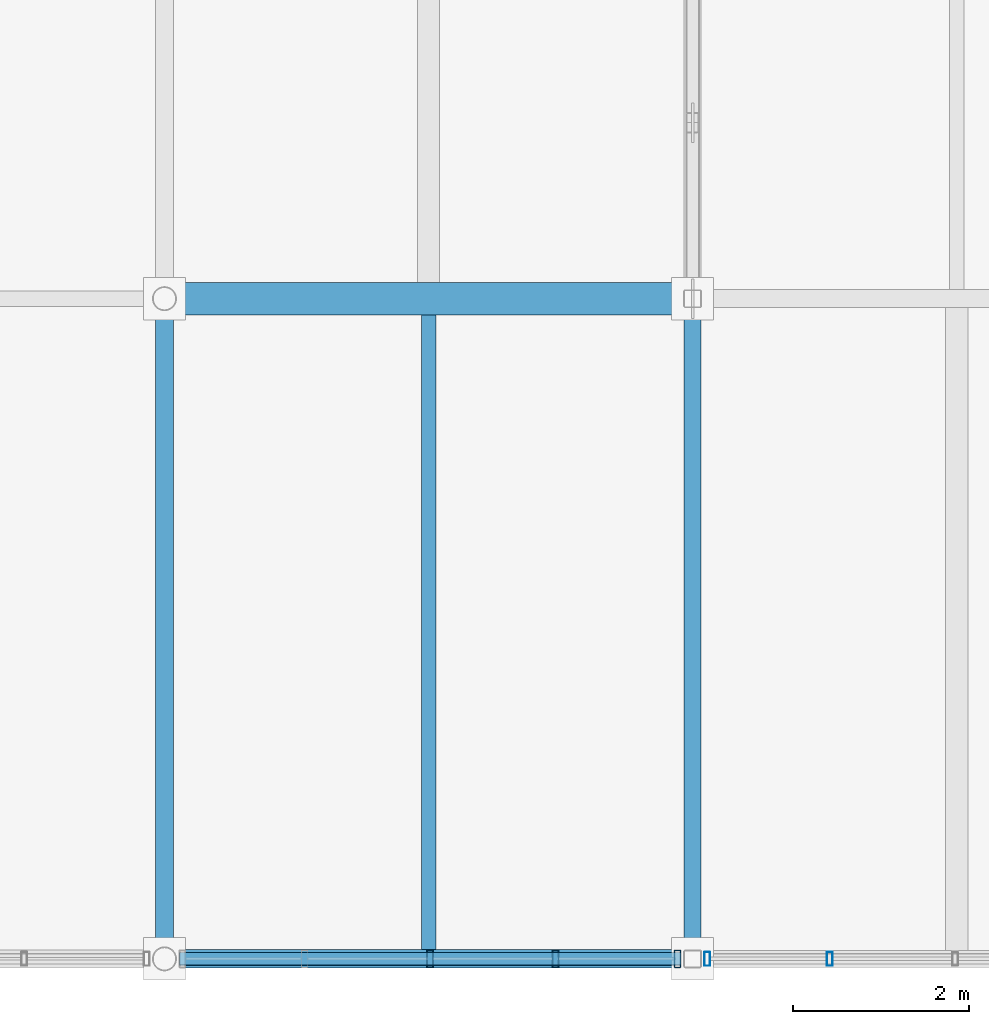
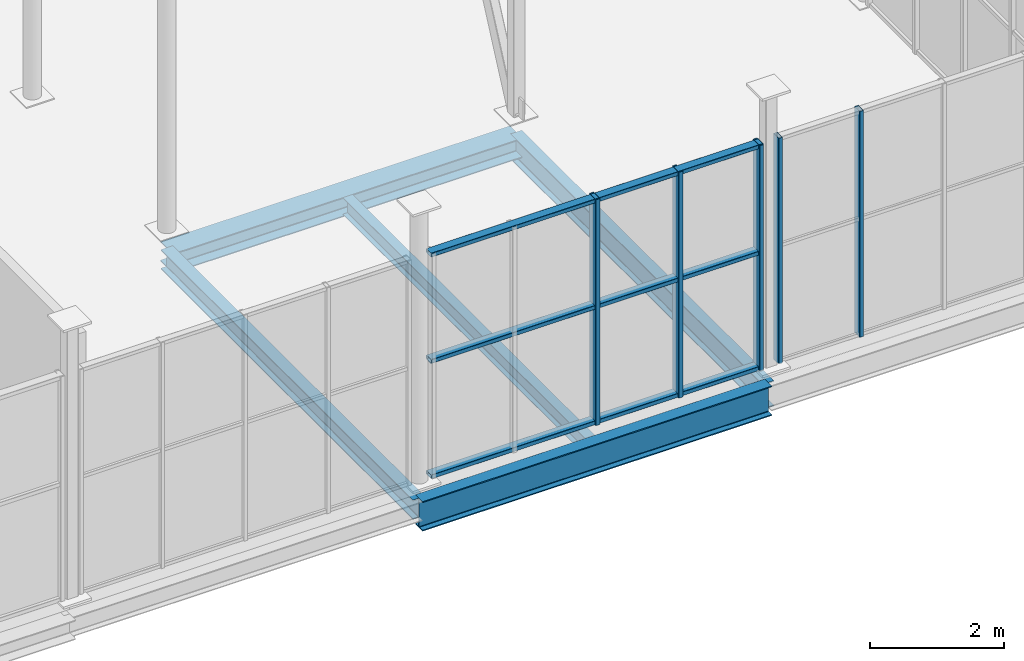
# One storey, part 10 of 27: 8 members, 5 beams, 2 elements without a shape of their own.
"""IFC4 building model written with IfcOpenShell, lengths in metres."""

from ifc_helpers import new_model, si_unit, direction, frame, origin, origin_2d, place, context, subcontext, project, spatial, hollow_rectangle, i_section, extrude, material, material_profile, profile_set, type_object, element, aggregate, save


model = new_model("IFC4")

# Units and contexts
model_context = context("Model", 3, precision=1e-05, world=origin(), true_north=direction((0.0, 1.0)))
body_context = subcontext(model_context, "Body", "Model", "MODEL_VIEW")
ifc_project = project(units=[si_unit("LENGTHUNIT", "METRE"), si_unit("AREAUNIT", "SQUARE_METRE"), si_unit("VOLUMEUNIT", "CUBIC_METRE"), si_unit("PLANEANGLEUNIT", "RADIAN"), si_unit("MASSUNIT", "GRAM", prefix="KILO")], contexts=[model_context])

# Site, building, storey
site_placement = place(None, origin())
site = spatial("IfcSite", under=ifc_project, at=site_placement, CompositionType="ELEMENT")
building_placement = place(site_placement, origin())
building = spatial("IfcBuilding", under=site, at=building_placement, Name="Verrall Gate Interchange", CompositionType="ELEMENT")
storey_placement = place(building_placement, frame((0.0, 0.0, 23.60009765625)))
storey = spatial("IfcBuildingStorey", under=building, at=storey_placement, Name="L06", CompositionType="ELEMENT", Elevation=23.60009765625)

# Beams
ifc_material_1 = material(Name="Structural Steel CSA G40.21 350W", Category="steel")
ifc_material_profile_1 = material_profile(ifc_material_1, i_section(OverallWidth=0.2109375, OverallDepth=0.5390625, WebThickness=0.01171875, FlangeThickness=0.018798828125, FilletRadius=0.013916015625, at=origin_2d()), Name="W530x109")
ifc_profile_set_1 = profile_set([ifc_material_profile_1], Name="Structural Steel CSA G40.21 350W")
beam_type_1 = type_object("IfcBeamType", Name="B-10 Structural Beam W530x109", PredefinedType="BEAM", material=ifc_profile_set_1)
beam_1_placement = place(storey_placement, frame((24.0, 4.5, -0.599609375), z_axis=(1.0, 0.0, 0.0), x_axis=(0.0, 1.0, 0.0)))
element("IfcBeam", 1, at=beam_1_placement, inside=storey, type_object=beam_type_1, Name="L06 Girder BM-L06-3057 (B-10)", PredefinedType="BEAM", context=body_context, shape_type="SweptSolid", body=[
    extrude(i_section(OverallWidth=0.2109375, OverallDepth=0.5390625, WebThickness=0.01171875, FlangeThickness=0.018798828125, FilletRadius=0.013916015625, at=origin_2d()), origin(), (0.0, 0.0, 1.0), 6.0),
])
ifc_material_2 = material(Name="Structural Steel CSA G40.21 350W", Category="steel")
ifc_material_profile_2 = material_profile(ifc_material_2, i_section(OverallWidth=0.19189453125, OverallDepth=0.462890625, WebThickness=0.010498046875, FlangeThickness=0.017578125, FilletRadius=0.012939453125, at=origin_2d()), Name="W460x89")
ifc_profile_set_2 = profile_set([ifc_material_profile_2], Name="Structural Steel CSA G40.21 350W")
beam_type_2 = type_object("IfcBeamType", Name="B-11 Structural Beam W460x89", PredefinedType="BEAM", material=ifc_profile_set_2)
beam_2_placement = place(storey_placement, frame((30.0, 4.5, -0.5615234375), z_axis=(0.0, 1.0, 0.0), x_axis=(-1.0, 0.0, 0.0)))
element("IfcBeam", 2, at=beam_2_placement, inside=storey, type_object=beam_type_2, Name="L06 Girder BM-L06-3164 (B-11)", PredefinedType="BEAM", context=body_context, shape_type="SweptSolid", body=[
    extrude(i_section(OverallWidth=0.19189453125, OverallDepth=0.462890625, WebThickness=0.010498046875, FlangeThickness=0.017578125, FilletRadius=0.012939453125, at=origin_2d()), origin(), (0.0, 0.0, 1.0), 7.5),
])
ifc_material_3 = material(Name="Structural Steel CSA G40.21 350W", Category="steel")
ifc_material_profile_3 = material_profile(ifc_material_3, i_section(OverallWidth=0.368896484375, OverallDepth=0.35595703125, WebThickness=0.01123046875, FlangeThickness=0.01806640625, FilletRadius=0.014892578125, at=origin_2d()), Name="W360x134")
ifc_profile_set_3 = profile_set([ifc_material_profile_3], Name="Structural Steel CSA G40.21 350W")
beam_type_3 = type_object("IfcBeamType", Name="B-13 Structural Beam W360x134", PredefinedType="BEAM", material=ifc_profile_set_3)
beam_3_placement = place(storey_placement, frame((24.0, 12.0, -0.508056640625), z_axis=(1.0, 0.0, 0.0), x_axis=(0.0, 1.0, 0.0)))
element("IfcBeam", 3, at=beam_3_placement, inside=storey, type_object=beam_type_3, Name="L06 Girder BM-L06-3063 (B-13)", PredefinedType="BEAM", context=body_context, shape_type="SweptSolid", body=[
    extrude(i_section(OverallWidth=0.368896484375, OverallDepth=0.35595703125, WebThickness=0.01123046875, FlangeThickness=0.01806640625, FilletRadius=0.014892578125, at=origin_2d()), origin(), (0.0, 0.0, 1.0), 6.0),
])
ifc_material_4 = material(Name="Structural Steel CSA G40.21 350W", Category="steel")
ifc_material_profile_4 = material_profile(ifc_material_4, i_section(OverallWidth=0.205078125, OverallDepth=0.35400390625, WebThickness=0.009521484375, FlangeThickness=0.016845703125, FilletRadius=0.012939453125, at=origin_2d()), Name="W360x79")
ifc_profile_set_4 = profile_set([ifc_material_profile_4], Name="Structural Steel CSA G40.21 350W")
beam_type_4 = type_object("IfcBeamType", Name="B-14 Structural Beam W360x79", PredefinedType="BEAM", material=ifc_profile_set_4)
beam_4_placement = place(storey_placement, frame((24.0, 4.5, -0.507080078125), z_axis=(0.0, 1.0, 0.0), x_axis=(-1.0, 0.0, 0.0)))
element("IfcBeam", 4, at=beam_4_placement, inside=storey, type_object=beam_type_4, Name="L06 Girder BM-L06-3154 (B-14)", PredefinedType="BEAM", context=body_context, shape_type="SweptSolid", body=[
    extrude(i_section(OverallWidth=0.205078125, OverallDepth=0.35400390625, WebThickness=0.009521484375, FlangeThickness=0.016845703125, FilletRadius=0.012939453125, at=origin_2d()), origin(), (0.0, 0.0, 1.0), 7.5),
])

# Curtain wall, members
ifc_material_5 = material(Name="Thermally Broken Anodized Aluminium Curtain Wall Framing", Category="aluminium")
curtain_wall_type = type_object("IfcCurtainWallType", Name="CW-45 Unitized Curtain Wall 5698x4100", PredefinedType="NOTDEFINED", material=ifc_material_5)
curtain_wall_1_placement = place(storey_placement, origin())
curtain_wall_1 = element("IfcCurtainWall", 5, at=curtain_wall_1_placement, inside=storey, type_object=curtain_wall_type, Name="L06 Unitized Curtain Wall CW-L06-142", PredefinedType="NOTDEFINED")
ifc_material_6 = material(Name="Thermally Broken Anodized Aluminium Curtain Wall Framing", Category="aluminium")
ifc_material_profile_5 = material_profile(ifc_material_6, hollow_rectangle(XDim=0.06494140625, YDim=0.159912109375, WallThickness=0.00390625, InnerFilletRadius=0.00390625, OuterFilletRadius=0.008056640625, at=origin_2d()), Name="CWM160x65x4")
ifc_profile_set_5 = profile_set([ifc_material_profile_5], Name="Thermally Broken Anodized Aluminium Curtain Wall Framing")
member_type_1 = type_object("IfcMemberType", Name="CM-01 Curtain Mullion CWM160x65x4", PredefinedType="MULLION", material=ifc_profile_set_5)
member_1_placement = place(storey_placement, frame((30.166015625, 4.5, 0.0), z_axis=(0.0, 0.0, 1.0), x_axis=(1.0, 0.0, 0.0)))
member_1 = element("IfcMember", 6, at=member_1_placement, type_object=member_type_1, Name="CW-L06-142 Mullion 1", PredefinedType="MULLION", context=body_context, shape_type="SweptSolid", body=[
    extrude(hollow_rectangle(XDim=0.06494140625, YDim=0.159912109375, WallThickness=0.00390625, InnerFilletRadius=0.00390625, OuterFilletRadius=0.008056640625, at=origin_2d()), origin(), (0.0, 0.0, 1.0), 4.099853515625),
])
member_2_placement = place(storey_placement, frame((31.55810546875, 4.5, 0.0), z_axis=(0.0, 0.0, 1.0), x_axis=(1.0, 0.0, 0.0)))
member_2 = element("IfcMember", 7, at=member_2_placement, type_object=member_type_1, Name="CW-L06-142 Mullion 2", PredefinedType="MULLION", context=body_context, shape_type="SweptSolid", body=[
    extrude(hollow_rectangle(XDim=0.06494140625, YDim=0.159912109375, WallThickness=0.00390625, InnerFilletRadius=0.00390625, OuterFilletRadius=0.008056640625, at=origin_2d()), origin(), (0.0, 0.0, 1.0), 4.099853515625),
])
aggregate(curtain_wall_1, [member_1, member_2])

curtain_wall_2_placement = place(storey_placement, origin())
curtain_wall_2 = element("IfcCurtainWall", 8, at=curtain_wall_2_placement, inside=storey, type_object=curtain_wall_type, Name="L06 Unitized Curtain Wall CW-L06-141", PredefinedType="NOTDEFINED")
ifc_material_7 = material(Name="Thermally Broken Anodized Aluminium Curtain Wall Framing", Category="aluminium")
ifc_material_profile_6 = material_profile(ifc_material_7, hollow_rectangle(XDim=0.074951171875, YDim=0.199951171875, WallThickness=0.0048828125, InnerFilletRadius=0.0048828125, OuterFilletRadius=0.010009765625, at=origin_2d()), Name="CWM200x75x5")
ifc_profile_set_6 = profile_set([ifc_material_profile_6], Name="Thermally Broken Anodized Aluminium Curtain Wall Framing")
member_type_2 = type_object("IfcMemberType", Name="CM-02 Curtain Mullion CWM200x75x5", PredefinedType="MULLION", material=ifc_profile_set_6)
member_3_placement = place(storey_placement, frame((27.017578125, 4.5, 0.0), z_axis=(0.0, 0.0, 1.0), x_axis=(1.0, 0.0, 0.0)))
member_3 = element("IfcMember", 9, at=member_3_placement, type_object=member_type_2, Name="CW-L06-141 Mullion 3", PredefinedType="MULLION", context=body_context, shape_type="SweptSolid", body=[
    extrude(hollow_rectangle(XDim=0.074951171875, YDim=0.199951171875, WallThickness=0.0048828125, InnerFilletRadius=0.0048828125, OuterFilletRadius=0.010009765625, at=origin_2d()), origin(), (0.0, 0.0, 1.0), 4.099853515625),
])
member_4_placement = place(storey_placement, frame((28.44189453125, 4.5, 0.0), z_axis=(0.0, 0.0, 1.0), x_axis=(1.0, 0.0, 0.0)))
member_4 = element("IfcMember", 10, at=member_4_placement, type_object=member_type_2, Name="CW-L06-141 Mullion 4", PredefinedType="MULLION", context=body_context, shape_type="SweptSolid", body=[
    extrude(hollow_rectangle(XDim=0.074951171875, YDim=0.199951171875, WallThickness=0.0048828125, InnerFilletRadius=0.0048828125, OuterFilletRadius=0.010009765625, at=origin_2d()), origin(), (0.0, 0.0, 1.0), 4.099853515625),
])
member_5_placement = place(storey_placement, frame((29.8291015625, 4.5, 0.0), z_axis=(0.0, 0.0, 1.0), x_axis=(1.0, 0.0, 0.0)))
member_5 = element("IfcMember", 11, at=member_5_placement, type_object=member_type_2, Name="CW-L06-141 Mullion 5", PredefinedType="MULLION", context=body_context, shape_type="SweptSolid", body=[
    extrude(hollow_rectangle(XDim=0.074951171875, YDim=0.199951171875, WallThickness=0.0048828125, InnerFilletRadius=0.0048828125, OuterFilletRadius=0.010009765625, at=origin_2d()), origin(), (0.0, 0.0, 1.0), 4.099853515625),
])
ifc_material_8 = material(Name="Thermally Broken Anodized Aluminium Curtain Wall Framing", Category="aluminium")
ifc_material_profile_7 = material_profile(ifc_material_8, hollow_rectangle(XDim=0.14990234375, YDim=0.074951171875, WallThickness=0.00439453125, InnerFilletRadius=0.00439453125, OuterFilletRadius=0.009033203125, at=origin_2d()), Name="CWT150x75x4.5")
ifc_profile_set_7 = profile_set([ifc_material_profile_7], Name="Thermally Broken Anodized Aluminium Curtain Wall Framing")
member_type_3 = type_object("IfcMemberType", Name="CT-02 Curtain Transom CWT150x75x4.5", PredefinedType="USERDEFINED", material=ifc_profile_set_7)
member_6_placement = place(storey_placement, frame((24.168701171875, 4.5, 0.037353515625), z_axis=(1.0, 0.0, 0.0), x_axis=(0.0, 1.0, 0.0)))
member_6 = element("IfcMember", 12, at=member_6_placement, type_object=member_type_3, Name="CW-L06-141 Transom 1", ObjectType="TRANSOM", PredefinedType="USERDEFINED", context=body_context, shape_type="SweptSolid", body=[
    extrude(hollow_rectangle(XDim=0.14990234375, YDim=0.074951171875, WallThickness=0.00439453125, InnerFilletRadius=0.00439453125, OuterFilletRadius=0.009033203125, at=origin_2d()), origin(), (0.0, 0.0, 1.0), 5.69775390625),
])
member_7_placement = place(storey_placement, frame((24.168701171875, 4.5, 2.1318359375), z_axis=(1.0, 0.0, 0.0), x_axis=(0.0, 1.0, 0.0)))
member_7 = element("IfcMember", 13, at=member_7_placement, type_object=member_type_3, Name="CW-L06-141 Transom 2", ObjectType="TRANSOM", PredefinedType="USERDEFINED", context=body_context, shape_type="SweptSolid", body=[
    extrude(hollow_rectangle(XDim=0.14990234375, YDim=0.074951171875, WallThickness=0.00439453125, InnerFilletRadius=0.00439453125, OuterFilletRadius=0.009033203125, at=origin_2d()), origin(), (0.0, 0.0, 1.0), 5.69775390625),
])
member_8_placement = place(storey_placement, frame((24.168701171875, 4.5, 4.0625), z_axis=(1.0, 0.0, 0.0), x_axis=(0.0, 1.0, 0.0)))
member_8 = element("IfcMember", 14, at=member_8_placement, type_object=member_type_3, Name="CW-L06-141 Transom 3", ObjectType="TRANSOM", PredefinedType="USERDEFINED", context=body_context, shape_type="SweptSolid", body=[
    extrude(hollow_rectangle(XDim=0.14990234375, YDim=0.074951171875, WallThickness=0.00439453125, InnerFilletRadius=0.00439453125, OuterFilletRadius=0.009033203125, at=origin_2d()), origin(), (0.0, 0.0, 1.0), 5.69775390625),
])
aggregate(curtain_wall_2, [member_3, member_4, member_5, member_6, member_7, member_8])

# Beam
ifc_material_9 = material(Name="Structural Steel CSA G40.21 350W", Category="steel")
ifc_material_profile_8 = material_profile(ifc_material_9, i_section(OverallWidth=0.1650390625, OverallDepth=0.31005859375, WebThickness=0.005859375, FlangeThickness=0.009765625, FilletRadius=0.010009765625, at=origin_2d()), Name="W310x39")
ifc_profile_set_8 = profile_set([ifc_material_profile_8], Name="Structural Steel CSA G40.21 350W")
beam_type_5 = type_object("IfcBeamType", Name="J-04 Floor Joist W310x39", PredefinedType="JOIST", material=ifc_profile_set_8)
beam_5_placement = place(storey_placement, frame((27.0, 4.60546875, -0.485107421875), z_axis=(0.0, 1.0, 0.0), x_axis=(-1.0, 0.0, 0.0)))
element("IfcBeam", 15, at=beam_5_placement, inside=storey, type_object=beam_type_5, Name="L06 Secondary Floor Joist JST-L06-3187", PredefinedType="JOIST", context=body_context, shape_type="SweptSolid", body=[
    extrude(i_section(OverallWidth=0.1650390625, OverallDepth=0.31005859375, WebThickness=0.005859375, FlangeThickness=0.009765625, FilletRadius=0.010009765625, at=origin_2d()), origin(), (0.0, 0.0, 1.0), 7.2099609375),
])

save(model, "model.ifc")
